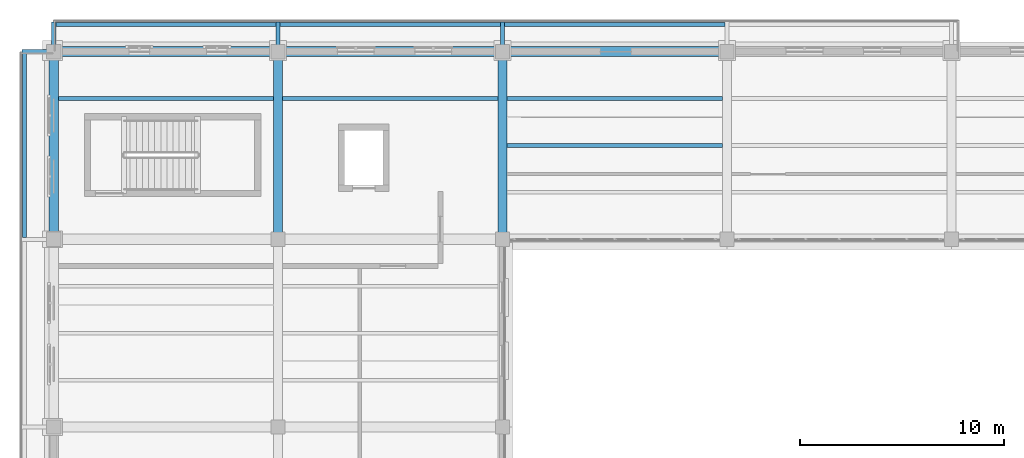
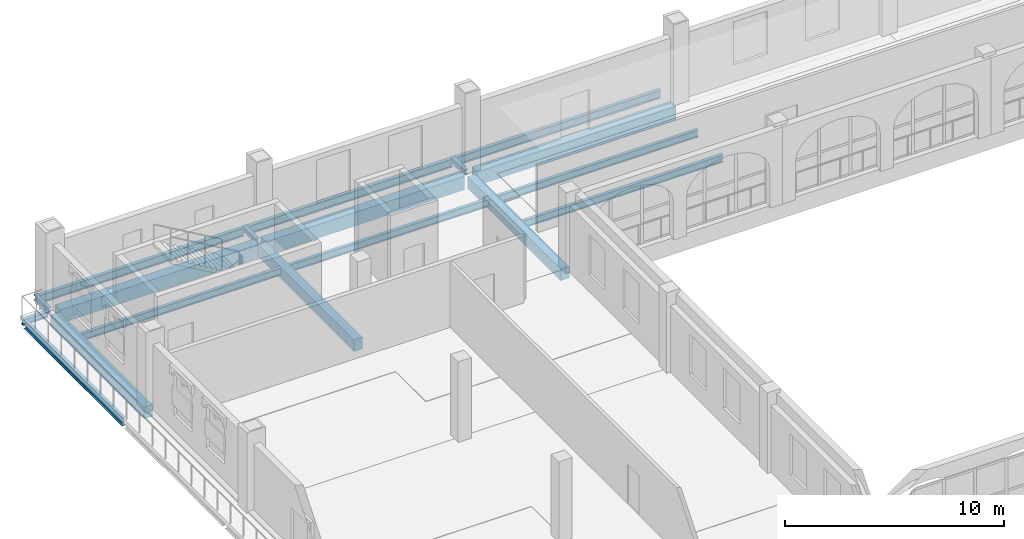
# One storey, part 50 of 156: 18 beams.
"""IFC4 building model written with IfcOpenShell, lengths in metres."""

from ifc_helpers import new_model, si_unit, direction, frame, origin, origin_2d, place, context, subcontext, project, spatial, rectangle, i_section, extrude, material, material_profile, profile_set, type_object, element, save


model = new_model("IFC4")

# Units and contexts
model_context = context("Model", 3, precision=1e-05, world=origin(), true_north=direction((0.0, 1.0)))
body_context = subcontext(model_context, "Body", "Model", "MODEL_VIEW")
ifc_project = project(units=[si_unit("LENGTHUNIT", "METRE"), si_unit("AREAUNIT", "SQUARE_METRE"), si_unit("VOLUMEUNIT", "CUBIC_METRE"), si_unit("PLANEANGLEUNIT", "RADIAN"), si_unit("MASSUNIT", "GRAM", prefix="KILO")], contexts=[model_context])

# Site, building, storey
site_placement = place(None, origin())
site = spatial("IfcSite", under=ifc_project, at=site_placement, CompositionType="ELEMENT")
building_placement = place(site_placement, origin())
building = spatial("IfcBuilding", under=site, at=building_placement, Name="Caurita Quay Ferry Terminal", CompositionType="ELEMENT")
storey_placement = place(building_placement, frame((0.0, 0.0, 5.39990234375)))
storey = spatial("IfcBuildingStorey", under=building, at=storey_placement, Name="L01", CompositionType="ELEMENT", Elevation=5.39990234375)

# Beams
ifc_material_1 = material(Name="Structural steel ASTM A992 Gr. 50", Category="steel")
ifc_material_profile_1 = material_profile(ifc_material_1, i_section(OverallWidth=0.193115234375, OverallDepth=0.46728515625, WebThickness=0.011474609375, FlangeThickness=0.01904296875, FilletRadius=0.0126953125, at=origin_2d()), Name="W18X65")
ifc_profile_set_1 = profile_set([ifc_material_profile_1], Name="Structural steel ASTM A992 Gr. 50")
beam_type_1 = type_object("IfcBeamType", Name="BM-GR-W18A", PredefinedType="BEAM", material=ifc_profile_set_1)
for number, where, z_axis, x_axis, name in (
    (1, (0.102294921875, 118.320068359375, -0.45361328125), (1.0, 0.0, 0.0), (0.0, 1.0, 0.0), "L01 Balcony Front Edge Beam 01"),
    (2, (11.102294921875, 118.320068359375, -0.45361328125), (1.0, 0.0, 0.0), (0.0, 1.0, 0.0), "L01 Balcony Front Edge Beam 02"),
    (3, (22.102294921875, 118.320068359375, -0.45361328125), (1.0, 0.0, 0.0), (0.0, 1.0, 0.0), "L01 Balcony Front Edge Beam 03"),
):
    element("IfcBeam", number, at=place(storey_placement, frame(where, z_axis=z_axis, x_axis=x_axis)), inside=storey, type_object=beam_type_1, Name=name, PredefinedType="BEAM", context=body_context, shape_type="SweptSolid", body=[
        extrude(i_section(OverallWidth=0.193115234375, OverallDepth=0.46728515625, WebThickness=0.011474609375, FlangeThickness=0.01904296875, FilletRadius=0.0126953125, at=origin_2d()), origin(), (0.0, 0.0, 1.0), 10.79541015625),
    ])
beam_1_placement = place(storey_placement, frame((-1.419921875, 107.902099609375, -0.45361328125), z_axis=(0.0, 1.0, 0.0), x_axis=(-1.0, 0.0, 0.0)))
element("IfcBeam", 4, at=beam_1_placement, inside=storey, type_object=beam_type_1, Name="L01 Balcony Front Edge Beam 11", PredefinedType="BEAM", context=body_context, shape_type="SweptSolid", body=[
    extrude(i_section(OverallWidth=0.193115234375, OverallDepth=0.46728515625, WebThickness=0.011474609375, FlangeThickness=0.01904296875, FilletRadius=0.0126953125, at=origin_2d()), origin(), (0.0, 0.0, 1.0), 8.99560546875),
])
ifc_material_profile_2 = material_profile(ifc_material_1, i_section(OverallWidth=0.1787109375, OverallDepth=0.408935546875, WebThickness=0.0087890625, FlangeThickness=0.014404296875, FilletRadius=0.011474609375, at=origin_2d()), Name="W16X45")
ifc_profile_set_2 = profile_set([ifc_material_profile_2], Name="Structural steel ASTM A992 Gr. 50")
beam_type_2 = type_object("IfcBeamType", Name="BM-JS-W16A", PredefinedType="JOIST", material=ifc_profile_set_2)
for number, where, z_axis, x_axis, name in (
    (5, (0.22509765625, 114.699951171875, -0.42431640625), (1.0, 0.0, 0.0), (0.0, 1.0, 0.0), "L01 Beam JS-V5-L01-011"),
    (6, (11.22509765625, 114.699951171875, -0.42431640625), (1.0, 0.0, 0.0), (0.0, 1.0, 0.0), "L01 Beam JS-V5-L01-022"),
    (7, (22.22509765625, 112.39990234375, -0.42431640625), (1.0, 0.0, 0.0), (0.0, 1.0, 0.0), "L01 Beam JS-V5-L01-026"),
    (8, (22.22509765625, 114.699951171875, -0.42431640625), (1.0, 0.0, 0.0), (0.0, 1.0, 0.0), "L01 Beam JS-V5-L01-027"),
):
    element("IfcBeam", number, at=place(storey_placement, frame(where, z_axis=z_axis, x_axis=x_axis)), inside=storey, type_object=beam_type_2, Name=name, PredefinedType="JOIST", context=body_context, shape_type="SweptSolid", body=[
        extrude(i_section(OverallWidth=0.1787109375, OverallDepth=0.408935546875, WebThickness=0.0087890625, FlangeThickness=0.014404296875, FilletRadius=0.011474609375, at=origin_2d()), origin(), (0.0, 0.0, 1.0), 10.5498046875),
    ])
ifc_material_profile_3 = material_profile(ifc_material_1, i_section(OverallWidth=0.20458984375, OverallDepth=0.307373046875, WebThickness=0.008544921875, FlangeThickness=0.0146484375, FilletRadius=0.0126953125, at=origin_2d()), Name="W12X45")
ifc_profile_set_3 = profile_set([ifc_material_profile_3], Name="Structural steel ASTM A992 Gr. 50")
beam_type_3 = type_object("IfcBeamType", Name="BM-OUT-W12", PredefinedType="BEAM", material=ifc_profile_set_3)
for number, where, z_axis, x_axis, name in (
    (9, (0.0, 117.179931640625, -0.37353515625), (0.0, 1.0, 0.0), (-1.0, 0.0, 0.0), "L01 Balcony Outrigger Cantilever 01"),
    (10, (11.0, 117.179931640625, -0.37353515625), (0.0, 1.0, 0.0), (-1.0, 0.0, 0.0), "L01 Balcony Outrigger Cantilever 02"),
    (11, (22.0, 117.179931640625, -0.37353515625), (0.0, 1.0, 0.0), (-1.0, 0.0, 0.0), "L01 Balcony Outrigger Cantilever 03"),
):
    element("IfcBeam", number, at=place(storey_placement, frame(where, z_axis=z_axis, x_axis=x_axis)), inside=storey, type_object=beam_type_3, Name=name, PredefinedType="BEAM", context=body_context, shape_type="SweptSolid", body=[
        extrude(i_section(OverallWidth=0.20458984375, OverallDepth=0.307373046875, WebThickness=0.008544921875, FlangeThickness=0.0146484375, FilletRadius=0.0126953125, at=origin_2d()), origin(), (0.0, 0.0, 1.0), 1.27001953125),
    ])
beam_2_placement = place(storey_placement, frame((-0.179931640625, 117.0, -0.37353515625), z_axis=(-1.0, 0.0, 0.0), x_axis=(0.0, -1.0, 0.0)))
element("IfcBeam", 12, at=beam_2_placement, inside=storey, type_object=beam_type_3, Name="L01 Balcony Outrigger Cantilever 14", PredefinedType="BEAM", context=body_context, shape_type="SweptSolid", body=[
    extrude(i_section(OverallWidth=0.20458984375, OverallDepth=0.307373046875, WebThickness=0.008544921875, FlangeThickness=0.0146484375, FilletRadius=0.0126953125, at=origin_2d()), origin(), (0.0, 0.0, 1.0), 1.3701171875),
])
ifc_material_2 = material(Name="Reinforced concrete C35/45", Category="concrete")
ifc_material_profile_4 = material_profile(ifc_material_2, rectangle(XDim=0.449951171875, YDim=0.64990234375, at=origin_2d()), Name="RC-BM-450X650")
ifc_profile_set_4 = profile_set([ifc_material_profile_4], Name="Reinforced concrete C35/45")
beam_type_4 = type_object("IfcBeamType", Name="BM-RC-4565", PredefinedType="BEAM", material=ifc_profile_set_4)
beam_3_placement = place(storey_placement, frame((0.0, 108.139892578125, -0.544921875), z_axis=(0.0, 1.0, 0.0), x_axis=(-1.0, 0.0, 0.0)))
element("IfcBeam", 13, at=beam_3_placement, inside=storey, type_object=beam_type_4, Name="L01 Beam BM-V5-L01-Y-0-1081", PredefinedType="BEAM", context=body_context, shape_type="SweptSolid", body=[
    extrude(rectangle(XDim=0.449951171875, YDim=0.64990234375, at=origin_2d()), origin(), (0.0, 0.0, 1.0), 8.52001953125),
])
beam_4_placement = place(storey_placement, frame((11.0, 107.984375, -0.544921875), z_axis=(0.0, 1.0, 0.0), x_axis=(-1.0, 0.0, 0.0)))
element("IfcBeam", 14, at=beam_4_placement, inside=storey, type_object=beam_type_4, Name="L01 Beam BM-V5-L01-Y-110-1080", PredefinedType="BEAM", context=body_context, shape_type="SweptSolid", body=[
    extrude(rectangle(XDim=0.449951171875, YDim=0.64990234375, at=origin_2d()), origin(), (0.0, 0.0, 1.0), 8.831298828125),
])
beam_5_placement = place(storey_placement, frame((22.0, 108.139892578125, -0.544921875), z_axis=(0.0, 1.0, 0.0), x_axis=(-1.0, 0.0, 0.0)))
element("IfcBeam", 15, at=beam_5_placement, inside=storey, type_object=beam_type_4, Name="L01 Beam BM-V5-L01-Y-220-1081", PredefinedType="BEAM", context=body_context, shape_type="SweptSolid", body=[
    extrude(rectangle(XDim=0.449951171875, YDim=0.64990234375, at=origin_2d()), origin(), (0.0, 0.0, 1.0), 8.52001953125),
])
ifc_material_profile_5 = material_profile(ifc_material_2, rectangle(XDim=0.5, YDim=0.75, at=origin_2d()), Name="RC-BM-500X750")
ifc_profile_set_5 = profile_set([ifc_material_profile_5], Name="Reinforced concrete C35/45")
beam_type_5 = type_object("IfcBeamType", Name="BM-RC-5075", PredefinedType="BEAM", material=ifc_profile_set_5)
for number, where, z_axis, x_axis, name in (
    (16, (0.340087890625, 117.0, -0.594970703125), (1.0, 0.0, 0.0), (0.0, 1.0, 0.0), "L01 Beam BM-V5-L01-X-3-1170"),
    (17, (11.1748046875, 117.0, -0.594970703125), (1.0, 0.0, 0.0), (0.0, 1.0, 0.0), "L01 Beam BM-V5-L01-X-112-1170"),
    (18, (22.340087890625, 117.0, -0.594970703125), (1.0, 0.0, 0.0), (0.0, 1.0, 0.0), "L01 Beam BM-V5-L01-X-223-1170"),
):
    element("IfcBeam", number, at=place(storey_placement, frame(where, z_axis=z_axis, x_axis=x_axis)), inside=storey, type_object=beam_type_5, Name=name, PredefinedType="BEAM", context=body_context, shape_type="SweptSolid", body=[
        extrude(rectangle(XDim=0.5, YDim=0.75, at=origin_2d()), origin(), (0.0, 0.0, 1.0), 10.485107421875),
    ])

save(model, "model.ifc")
